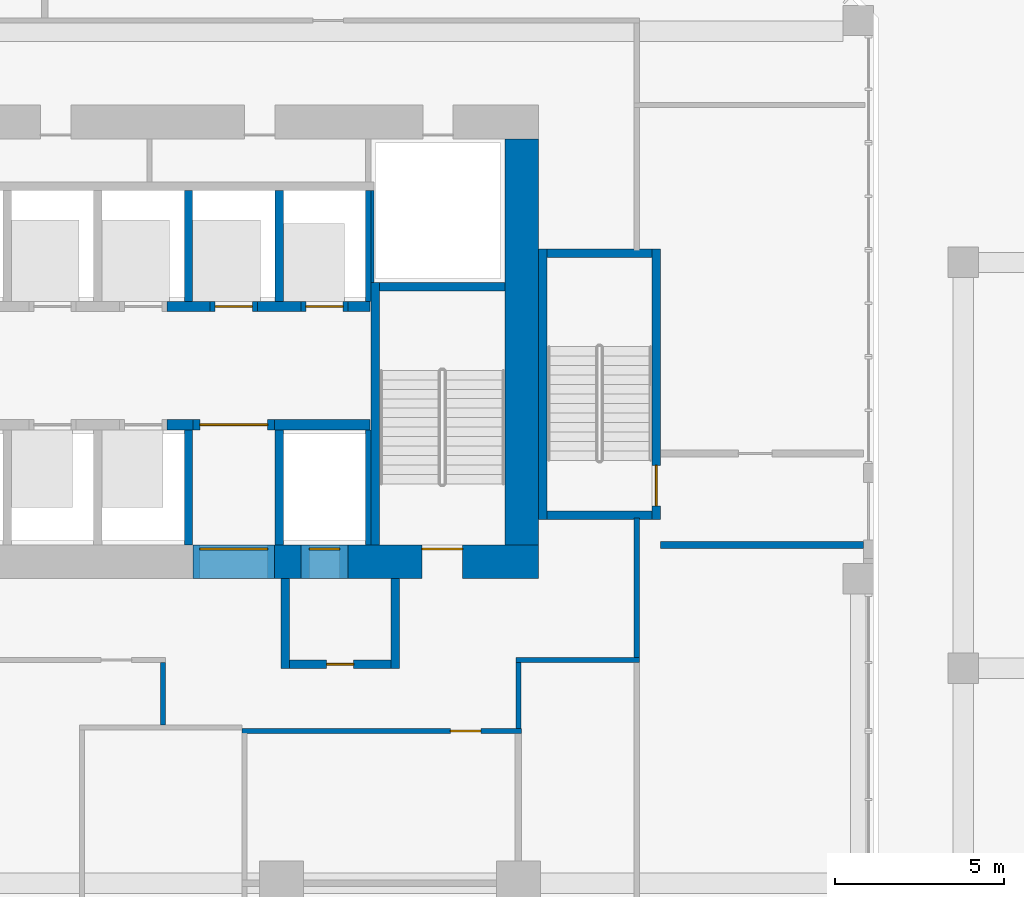
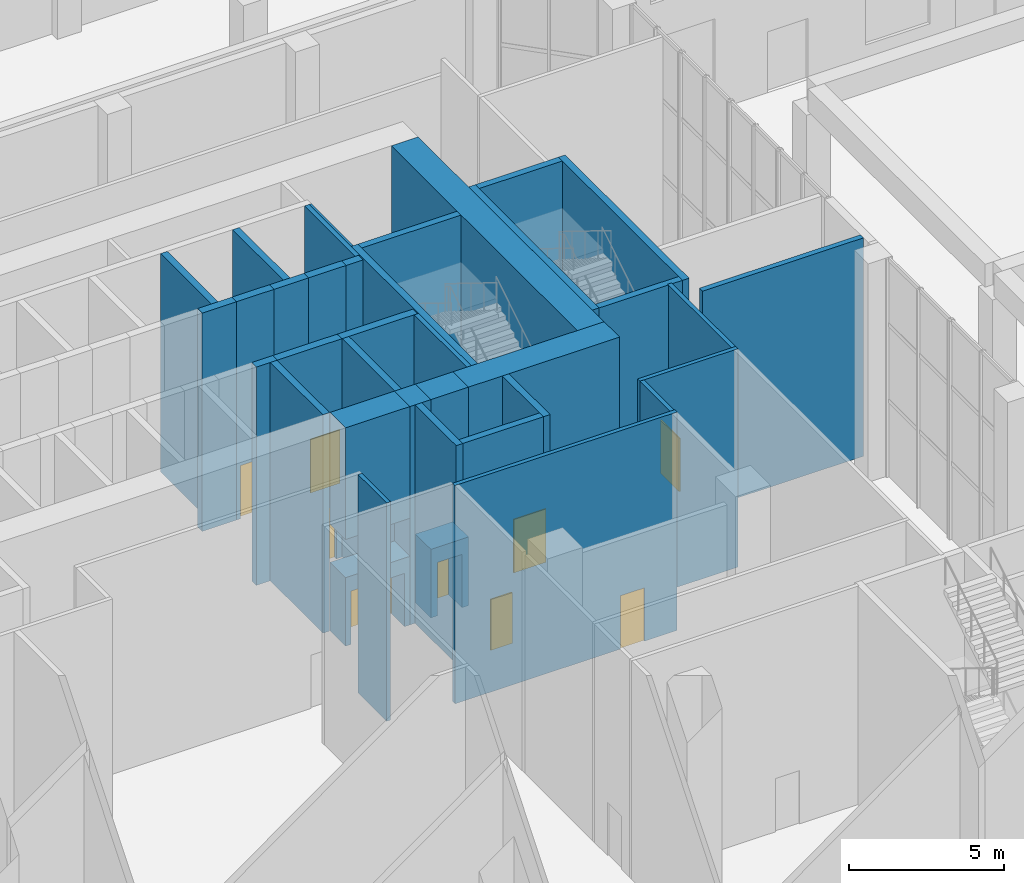
# One storey, part 28 of 43: 37 walls, 9 doors, 9 openings.
"""IFC4 building model written with IfcOpenShell, lengths in metres."""

from ifc_helpers import new_model, si_unit, direction, frame, frame_2d, origin, place, context, subcontext, project, spatial, rectangle, extrude, source, transform, mapped, material, layer, layer_set, type_object, element, fill, save


model = new_model("IFC4")

# Units and contexts
model_context = context("Model", 3, precision=1e-05, world=origin(), true_north=direction((0.0, 1.0)))
body_context = subcontext(model_context, "Body", "Model", "MODEL_VIEW")
ifc_project = project(units=[si_unit("LENGTHUNIT", "METRE"), si_unit("AREAUNIT", "SQUARE_METRE"), si_unit("VOLUMEUNIT", "CUBIC_METRE"), si_unit("PLANEANGLEUNIT", "RADIAN"), si_unit("MASSUNIT", "GRAM", prefix="KILO")], contexts=[model_context])

# Site, building, storey
site_placement = place(None, origin())
site = spatial("IfcSite", under=ifc_project, at=site_placement, CompositionType="ELEMENT")
building_placement = place(site_placement, origin())
building = spatial("IfcBuilding", under=site, at=building_placement, Name="Kilnfold Tower and Market Hall", CompositionType="ELEMENT")
storey_placement = place(building_placement, origin())
storey = spatial("IfcBuildingStorey", under=building, at=storey_placement, Name="L00", CompositionType="ELEMENT", Elevation=0.0)

# Walls
ifc_material_1 = material(Name="Gypsum board on steel studs", Category="steel")
ifc_layer_1 = layer(ifc_material_1, 0.14990234375)
ifc_layer_set_1 = layer_set([ifc_layer_1], Name="Gypsum board on steel studs")
wall_type_1 = type_object("IfcWallType", Name="WALL CORRIDOR 150", PredefinedType="PARTITIONING", material=ifc_layer_set_1)
wall_1_placement = place(storey_placement, frame((21.0, 5.6650390625, 0.0), z_axis=(0.0, 0.0, 1.0), x_axis=(0.0, 1.0, 0.0)))
element("IfcWall", 1, at=wall_1_placement, inside=storey, type_object=wall_type_1, Name="Partition LY01.6", PredefinedType="PARTITIONING", context=body_context, shape_type="SweptSolid", body=[
    extrude(rectangle(XDim=4.135009765625, YDim=0.14990234375, at=frame_2d((2.0673828125, 0.0))), origin(), (0.0, 0.0, 1.0), 8.60009765625),
])
wall_2_placement = place(storey_placement, frame((7.0, 5.52490234375, 0.0), z_axis=(0.0, 0.0, 1.0), x_axis=(0.0, -1.0, 0.0)))
element("IfcWall", 2, at=wall_2_placement, inside=storey, type_object=wall_type_1, Name="Partition LY01.29", PredefinedType="PARTITIONING", context=body_context, shape_type="SweptSolid", body=[
    extrude(rectangle(XDim=1.849853515625, YDim=0.14990234375, at=frame_2d((0.9248046875, 0.0))), origin(), (0.0, 0.0, 1.0), 8.60009765625),
])

# Wall, opening, door
wall_3_placement = place(storey_placement, frame((9.324951171875, 3.5, 0.0), z_axis=(0.0, 0.0, 1.0), x_axis=(1.0, 0.0, 0.0)))
wall_3 = element("IfcWall", 3, at=wall_3_placement, inside=storey, type_object=wall_type_1, Name="Partition LY01.33", PredefinedType="PARTITIONING", context=body_context, shape_type="SweptSolid", body=[
    extrude(rectangle(XDim=8.275146484375, YDim=0.14990234375, at=frame_2d((4.1376953125, 0.0))), origin(), (0.0, 0.0, 1.0), 8.60009765625),
])
opening_1_placement = place(wall_3_placement, frame((6.1640625, 0.0, 0.0)))
opening_1 = element("IfcOpeningElement", 4, at=opening_1_placement, cuts=wall_3, Name="Opening D2", PredefinedType="OPENING", context=body_context, shape_type="SweptSolid", body=[
    extrude(rectangle(XDim=0.89990234375, YDim=2.10009765625, at=frame_2d((0.449951171875, 1.050048828125))), frame((0.0, 0.0849609375, 0.0), z_axis=(0.0, -1.0, 0.0), x_axis=(1.0, 0.0, 0.0)), (0.0, 0.0, 1.0), 0.169921875),
])
ifc_material_2 = material(Name="Timber veneer door leaf in steel frame", Category="steel")
door_type_1 = type_object("IfcDoorType", Name="DOOR ROOM 900 X2100", OperationType="NOTDEFINED", PredefinedType="DOOR", material=ifc_material_2)
door_1_placement = place(opening_1_placement, origin())
door_1 = element("IfcDoor", 5, at=door_1_placement, inside=storey, type_object=door_type_1, Name="Door D2", OperationType="SINGLE_SWING_RIGHT", OverallHeight=2.10009765625, OverallWidth=0.89990234375, PredefinedType="DOOR", context=body_context, shape_type="SweptSolid", body=[
    extrude(rectangle(XDim=0.89990234375, YDim=2.10009765625, at=frame_2d((0.449951171875, 1.050048828125))), frame((0.0, 0.02490234375, 0.0), z_axis=(0.0, -1.0, 0.0), x_axis=(1.0, 0.0, 0.0)), (0.0, 0.0, 1.0), 0.050048828125),
])
fill(opening_1, door_1)

# Walls
wall_4_placement = place(storey_placement, frame((17.425048828125, 5.60009765625, 0.0), z_axis=(0.0, 0.0, 1.0), x_axis=(1.0, 0.0, 0.0)))
element("IfcWall", 6, at=wall_4_placement, inside=storey, type_object=wall_type_1, Name="Partition LY01.34", PredefinedType="PARTITIONING", context=body_context, shape_type="SweptSolid", body=[
    extrude(rectangle(XDim=3.64990234375, YDim=0.14990234375, at=frame_2d((1.824951171875, 0.0))), origin(), (0.0, 0.0, 1.0), 8.60009765625),
])
wall_5_placement = place(storey_placement, frame((17.5, 3.574951171875, 0.0), z_axis=(0.0, 0.0, 1.0), x_axis=(0.0, 1.0, 0.0)))
element("IfcWall", 7, at=wall_5_placement, inside=storey, type_object=wall_type_1, Name="Partition LY01.35", PredefinedType="PARTITIONING", context=body_context, shape_type="SweptSolid", body=[
    extrude(rectangle(XDim=1.949951171875, YDim=0.14990234375, at=frame_2d((0.97509765625, 0.0))), origin(), (0.0, 0.0, 1.0), 8.60009765625),
])
ifc_material_3 = material(Name="Concrete C80", Category="concrete")
ifc_layer_2 = layer(ifc_material_3, 1.0)
ifc_layer_set_2 = layer_set([ifc_layer_2], Name="Concrete C80")
wall_type_2 = type_object("IfcWallType", Name="CORE WALL 1000 C80", PredefinedType="SHEAR", material=ifc_layer_set_2)
shared_shape_1 = source(origin(), body_context, "Body", "SweptSolid", [
    extrude(rectangle(XDim=0.780029296875, YDim=1.0, at=frame_2d((0.39013671875, 0.0))), origin(), (0.0, 0.0, 1.0), 8.60009765625),
])
wall_6_placement = place(storey_placement, frame((10.2900390625, 8.5, 0.0), z_axis=(0.0, 0.0, 1.0), x_axis=(1.0, 0.0, 0.0)))
element("IfcWall", 8, at=wall_6_placement, inside=storey, type_object=wall_type_2, Name="Core outer wall south", PredefinedType="SHEAR", context=body_context, shape_type="MappedRepresentation", body=[
    mapped(shared_shape_1, transform((0.0, 0.0, 0.0))),
])

# Wall, opening, door
shared_shape_2 = source(origin(), body_context, "Body", "SweptSolid", [
    extrude(rectangle(XDim=5.630126953125, YDim=1.0, at=frame_2d((2.81494140625, 0.0))), origin(), (0.0, 0.0, 1.0), 8.60009765625),
])
wall_7_placement = place(storey_placement, frame((12.469970703125, 8.5, 0.0), z_axis=(0.0, 0.0, 1.0), x_axis=(1.0, 0.0, 0.0)))
wall_7 = element("IfcWall", 9, at=wall_7_placement, inside=storey, type_object=wall_type_2, Name="Core outer wall south", PredefinedType="SHEAR", context=body_context, shape_type="MappedRepresentation", body=[
    mapped(shared_shape_2, transform((0.0, 0.0, 0.0))),
])
opening_2_placement = place(wall_7_placement, frame((2.179931640625, 0.0, 0.0)))
opening_2 = element("IfcOpeningElement", 10, at=opening_2_placement, cuts=wall_7, Name="Opening SD1", PredefinedType="OPENING", context=body_context, shape_type="SweptSolid", body=[
    extrude(rectangle(XDim=1.199951171875, YDim=2.10009765625, at=frame_2d((0.60009765625, 1.050048828125))), frame((0.0, 0.510009765625, 0.0), z_axis=(0.0, -1.0, 0.0), x_axis=(1.0, 0.0, 0.0)), (0.0, 0.0, 1.0), 1.02001953125),
])
ifc_material_4 = material(Name="Steel door set with fire-resisting leaf", Category="steel")
door_type_2 = type_object("IfcDoorType", Name="STAIR FLOOR DOOR 1200X2100", OperationType="NOTDEFINED", PredefinedType="DOOR", material=ifc_material_4)
door_2_placement = place(opening_2_placement, origin())
door_2 = element("IfcDoor", 11, at=door_2_placement, inside=storey, type_object=door_type_2, Name="Exit stair ST2 door", OperationType="DOUBLE_DOOR_SINGLE_SWING", OverallHeight=2.10009765625, OverallWidth=1.199951171875, PredefinedType="DOOR", context=body_context, shape_type="SweptSolid", body=[
    extrude(rectangle(XDim=1.199951171875, YDim=2.10009765625, at=frame_2d((0.60009765625, 1.050048828125))), frame((0.0, 0.40478515625, 0.0), z_axis=(0.0, -1.0, 0.0), x_axis=(1.0, 0.0, 0.0)), (0.0, 0.0, 1.0), 0.050048828125),
])
fill(opening_2, door_2)

# Walls
shared_shape_3 = source(origin(), body_context, "Body", "SweptSolid", [
    extrude(rectangle(XDim=12.0, YDim=1.0, at=frame_2d((6.0, 0.0))), origin(), (0.0, 0.0, 1.0), 8.60009765625),
])
wall_8_placement = place(storey_placement, frame((17.60009765625, 9.0, 0.0), z_axis=(0.0, 0.0, 1.0), x_axis=(0.0, 1.0, 0.0)))
element("IfcWall", 12, at=wall_8_placement, inside=storey, type_object=wall_type_2, Name="Core outer wall east", PredefinedType="SHEAR", context=body_context, shape_type="MappedRepresentation", body=[
    mapped(shared_shape_3, transform((0.0, 0.0, 0.0))),
])
ifc_material_5 = material(Name="Concrete C80", Category="concrete")
ifc_layer_3 = layer(ifc_material_5, 0.25)
ifc_layer_set_3 = layer_set([ifc_layer_3], Name="Concrete C80")
wall_type_3 = type_object("IfcWallType", Name="CORE WALL 250 C80", PredefinedType="SHEAR", material=ifc_layer_set_3)
shared_shape_4 = source(origin(), body_context, "Body", "SweptSolid", [
    extrude(rectangle(XDim=7.75, YDim=0.25, at=frame_2d((3.875, 0.0))), origin(), (0.0, 0.0, 1.0), 8.60009765625),
])
wall_9_placement = place(storey_placement, frame((13.27490234375, 9.0, 0.0), z_axis=(0.0, 0.0, 1.0), x_axis=(0.0, 1.0, 0.0)))
element("IfcWall", 13, at=wall_9_placement, inside=storey, type_object=wall_type_3, Name="Stair enclosure ST2", PredefinedType="SHEAR", context=body_context, shape_type="MappedRepresentation", body=[
    mapped(shared_shape_4, transform((0.0, 0.0, 0.0))),
])
shared_shape_5 = source(origin(), body_context, "Body", "SweptSolid", [
    extrude(rectangle(XDim=3.7001953125, YDim=0.25, at=frame_2d((1.85009765625, 0.0))), origin(), (0.0, 0.0, 1.0), 8.60009765625),
])
wall_10_placement = place(storey_placement, frame((13.39990234375, 16.625, 0.0), z_axis=(0.0, 0.0, 1.0), x_axis=(1.0, 0.0, 0.0)))
element("IfcWall", 14, at=wall_10_placement, inside=storey, type_object=wall_type_3, Name="Stair enclosure ST2", PredefinedType="SHEAR", context=body_context, shape_type="MappedRepresentation", body=[
    mapped(shared_shape_5, transform((0.0, 0.0, 0.0))),
])
shared_shape_6 = source(origin(), body_context, "Body", "SweptSolid", [
    extrude(rectangle(XDim=8.0, YDim=0.25, at=frame_2d((4.0, 0.0))), origin(), (0.0, 0.0, 1.0), 8.60009765625),
])
wall_11_placement = place(storey_placement, frame((18.22509765625, 9.75, 0.0), z_axis=(0.0, 0.0, 1.0), x_axis=(0.0, 1.0, 0.0)))
element("IfcWall", 15, at=wall_11_placement, inside=storey, type_object=wall_type_3, Name="Stair enclosure ST5", PredefinedType="SHEAR", context=body_context, shape_type="MappedRepresentation", body=[
    mapped(shared_shape_6, transform((0.0, 0.0, 0.0))),
])

# Wall, opening, door
wall_12_placement = place(storey_placement, frame((21.574951171875, 9.75, 0.0), z_axis=(0.0, 0.0, 1.0), x_axis=(0.0, 1.0, 0.0)))
wall_12 = element("IfcWall", 16, at=wall_12_placement, inside=storey, type_object=wall_type_3, Name="Stair enclosure ST5", PredefinedType="SHEAR", context=body_context, shape_type="MappedRepresentation", body=[
    mapped(shared_shape_6, transform((0.0, 0.0, 0.0))),
])
opening_3_placement = place(wall_12_placement, frame((0.39990234375, 0.0, 0.0)))
opening_3 = element("IfcOpeningElement", 17, at=opening_3_placement, cuts=wall_12, Name="Opening SD1", PredefinedType="OPENING", context=body_context, shape_type="SweptSolid", body=[
    extrude(rectangle(XDim=1.199951171875, YDim=2.10009765625, at=frame_2d((0.60009765625, 1.050048828125))), frame((0.0, 0.135009765625, 0.0), z_axis=(0.0, -1.0, 0.0), x_axis=(1.0, 0.0, 0.0)), (0.0, 0.0, 1.0), 0.27001953125),
])
door_3_placement = place(opening_3_placement, origin())
door_3 = element("IfcDoor", 18, at=door_3_placement, inside=storey, type_object=door_type_2, Name="Exit stair ST5 door", OperationType="DOUBLE_DOOR_SINGLE_SWING", OverallHeight=2.10009765625, OverallWidth=1.199951171875, PredefinedType="DOOR", context=body_context, shape_type="SweptSolid", body=[
    extrude(rectangle(XDim=1.199951171875, YDim=2.10009765625, at=frame_2d((0.60009765625, 1.050048828125))), frame((0.0, 0.02490234375, 0.0), z_axis=(0.0, -1.0, 0.0), x_axis=(1.0, 0.0, 0.0)), (0.0, 0.0, 1.0), 0.050048828125),
])
fill(opening_3, door_3)

# Walls
shared_shape_7 = source(origin(), body_context, "Body", "SweptSolid", [
    extrude(rectangle(XDim=3.099853515625, YDim=0.25, at=frame_2d((1.5498046875, 0.0))), origin(), (0.0, 0.0, 1.0), 8.60009765625),
])
for number, where, z_axis, x_axis, name in (
    (19, (18.35009765625, 9.875, 0.0), (0.0, 0.0, 1.0), (1.0, 0.0, 0.0), "Stair enclosure ST5"),
    (20, (18.35009765625, 17.625, 0.0), (0.0, 0.0, 1.0), (1.0, 0.0, 0.0), "Stair enclosure ST5"),
):
    element("IfcWall", number, at=place(storey_placement, frame(where, z_axis=z_axis, x_axis=x_axis)), inside=storey, type_object=wall_type_3, Name=name, PredefinedType="SHEAR", context=body_context, shape_type="MappedRepresentation", body=[
        mapped(shared_shape_7, transform((0.0, 0.0, 0.0))),
    ])
ifc_material_6 = material(Name="Concrete C80", Category="concrete")
ifc_layer_4 = layer(ifc_material_6, 0.199951171875)
ifc_layer_set_4 = layer_set([ifc_layer_4], Name="Concrete C80")
wall_type_4 = type_object("IfcWallType", Name="CORE WALL 200 C80", PredefinedType="SHEAR", material=ifc_layer_set_4)
shared_shape_8 = source(origin(), body_context, "Body", "SweptSolid", [
    extrude(rectangle(XDim=6.0, YDim=0.199951171875, at=frame_2d((3.0, 0.0))), origin(), (0.0, 0.0, 1.0), 8.60009765625),
])
wall_13_placement = place(storey_placement, frame((21.699951171875, 9.0, 0.0), z_axis=(0.0, 0.0, 1.0), x_axis=(1.0, 0.0, 0.0)))
element("IfcWall", 21, at=wall_13_placement, inside=storey, type_object=wall_type_4, Name="Exit passage ST5", PredefinedType="SHEAR", context=body_context, shape_type="MappedRepresentation", body=[
    mapped(shared_shape_8, transform((0.0, 0.0, 0.0))),
])
ifc_material_7 = material(Name="Concrete C80", Category="concrete")
ifc_layer_5 = layer(ifc_material_7, 0.300048828125)
ifc_layer_set_5 = layer_set([ifc_layer_5], Name="Concrete C80")
wall_type_5 = type_object("IfcWallType", Name="CORE WALL 300 C80", PredefinedType="SHEAR", material=ifc_layer_set_5)
shared_shape_9 = source(origin(), body_context, "Body", "SweptSolid", [
    extrude(rectangle(XDim=1.280029296875, YDim=0.300048828125, at=frame_2d((0.64013671875, 0.0))), origin(), (0.0, 0.0, 1.0), 8.60009765625),
])
wall_14_placement = place(storey_placement, frame((9.7900390625, 16.050048828125, 0.0), z_axis=(0.0, 0.0, 1.0), x_axis=(1.0, 0.0, 0.0)))
element("IfcWall", 22, at=wall_14_placement, inside=storey, type_object=wall_type_5, Name="Core spine wall", PredefinedType="SHEAR", context=body_context, shape_type="MappedRepresentation", body=[
    mapped(shared_shape_9, transform((0.0, 0.0, 0.0))),
])
shared_shape_10 = source(origin(), body_context, "Body", "SweptSolid", [
    extrude(rectangle(XDim=0.77978515625, YDim=0.300048828125, at=frame_2d((0.389892578125, 0.0))), origin(), (0.0, 0.0, 1.0), 8.60009765625),
])
wall_15_placement = place(storey_placement, frame((7.110107421875, 12.550048828125, 0.0), z_axis=(0.0, 0.0, 1.0), x_axis=(1.0, 0.0, 0.0)))
element("IfcWall", 23, at=wall_15_placement, inside=storey, type_object=wall_type_5, Name="Core spine wall", PredefinedType="SHEAR", context=body_context, shape_type="MappedRepresentation", body=[
    mapped(shared_shape_10, transform((0.0, 0.0, 0.0))),
])
shared_shape_11 = source(origin(), body_context, "Body", "SweptSolid", [
    extrude(rectangle(XDim=2.820068359375, YDim=0.300048828125, at=frame_2d((1.41015625, 0.0))), origin(), (0.0, 0.0, 1.0), 8.60009765625),
])
wall_16_placement = place(storey_placement, frame((10.2900390625, 12.550048828125, 0.0), z_axis=(0.0, 0.0, 1.0), x_axis=(1.0, 0.0, 0.0)))
element("IfcWall", 24, at=wall_16_placement, inside=storey, type_object=wall_type_5, Name="Core spine wall", PredefinedType="SHEAR", context=body_context, shape_type="MappedRepresentation", body=[
    mapped(shared_shape_11, transform((0.0, 0.0, 0.0))),
])
shared_shape_12 = source(origin(), body_context, "Body", "SweptSolid", [
    extrude(rectangle(XDim=1.27978515625, YDim=0.300048828125, at=frame_2d((0.639892578125, 0.0))), origin(), (0.0, 0.0, 1.0), 8.60009765625),
])
wall_17_placement = place(storey_placement, frame((7.110107421875, 16.050048828125, 0.0), z_axis=(0.0, 0.0, 1.0), x_axis=(1.0, 0.0, 0.0)))
element("IfcWall", 25, at=wall_17_placement, inside=storey, type_object=wall_type_5, Name="Core spine wall", PredefinedType="SHEAR", context=body_context, shape_type="MappedRepresentation", body=[
    mapped(shared_shape_12, transform((0.0, 0.0, 0.0))),
])
shared_shape_13 = source(origin(), body_context, "Body", "SweptSolid", [
    extrude(rectangle(XDim=0.64013671875, YDim=0.300048828125, at=frame_2d((0.320068359375, 0.0))), origin(), (0.0, 0.0, 1.0), 8.60009765625),
])
wall_18_placement = place(storey_placement, frame((12.469970703125, 16.050048828125, 0.0), z_axis=(0.0, 0.0, 1.0), x_axis=(1.0, 0.0, 0.0)))
element("IfcWall", 26, at=wall_18_placement, inside=storey, type_object=wall_type_5, Name="Core spine wall", PredefinedType="SHEAR", context=body_context, shape_type="MappedRepresentation", body=[
    mapped(shared_shape_13, transform((0.0, 0.0, 0.0))),
])
shared_shape_14 = source(origin(), body_context, "Body", "SweptSolid", [
    extrude(rectangle(XDim=1.39990234375, YDim=1.0, at=frame_2d((0.699951171875, 0.0))), origin(), (0.0, 0.0, 1.0), 4.650146484375),
])
wall_19_placement = place(storey_placement, frame((11.070068359375, 8.5, 3.949951171875), z_axis=(0.0, 0.0, 1.0), x_axis=(1.0, 0.0, 0.0)))
element("IfcWall", 27, at=wall_19_placement, inside=storey, type_object=wall_type_2, Name="Core wall over opening", PredefinedType="SHEAR", context=body_context, shape_type="MappedRepresentation", body=[
    mapped(shared_shape_14, transform((0.0, 0.0, 0.0))),
])
shared_shape_15 = source(origin(), body_context, "Body", "SweptSolid", [
    extrude(rectangle(XDim=2.400146484375, YDim=1.0, at=frame_2d((1.2001953125, 0.0))), origin(), (0.0, 0.0, 1.0), 4.400146484375),
])
wall_20_placement = place(storey_placement, frame((7.889892578125, 8.5, 4.199951171875), z_axis=(0.0, 0.0, 1.0), x_axis=(1.0, 0.0, 0.0)))
element("IfcWall", 28, at=wall_20_placement, inside=storey, type_object=wall_type_2, Name="Core wall over opening", PredefinedType="SHEAR", context=body_context, shape_type="MappedRepresentation", body=[
    mapped(shared_shape_15, transform((0.0, 0.0, 0.0))),
])

# Wall, opening, door
ifc_material_8 = material(Name="Gypsum shaft wall system")
ifc_layer_6 = layer(ifc_material_8, 1.0)
ifc_layer_set_6 = layer_set([ifc_layer_6], Name="Gypsum shaft wall system")
wall_type_6 = type_object("IfcWallType", Name="LOBBY WALL 1000", PredefinedType="PARTITIONING", material=ifc_layer_set_6)
shared_shape_16 = source(origin(), body_context, "Body", "SweptSolid", [
    extrude(rectangle(XDim=1.39990234375, YDim=1.0, at=frame_2d((0.699951171875, 0.0))), origin(), (0.0, 0.0, 1.0), 2.699951171875),
])
wall_21_placement = place(storey_placement, frame((11.070068359375, 8.5, 0.0), z_axis=(0.0, 0.0, 1.0), x_axis=(1.0, 0.0, 0.0)))
wall_21 = element("IfcWall", 29, at=wall_21_placement, inside=storey, type_object=wall_type_6, Name="Core wall infill", PredefinedType="PARTITIONING", context=body_context, shape_type="MappedRepresentation", body=[
    mapped(shared_shape_16, transform((0.0, 0.0, 0.0))),
])
opening_4_placement = place(wall_21_placement, frame((0.25, 0.0, 0.0)))
opening_4 = element("IfcOpeningElement", 30, at=opening_4_placement, cuts=wall_21, Name="Opening LD1", PredefinedType="OPENING", context=body_context, shape_type="SweptSolid", body=[
    extrude(rectangle(XDim=0.89990234375, YDim=2.10009765625, at=frame_2d((0.449951171875, 1.050048828125))), frame((0.0, 0.510009765625, 0.0), z_axis=(0.0, -1.0, 0.0), x_axis=(1.0, 0.0, 0.0)), (0.0, 0.0, 1.0), 1.02001953125),
])
ifc_material_9 = material(Name="Steel door set with fire-resisting leaf", Category="steel")
door_type_3 = type_object("IfcDoorType", Name="FIREFIGHTING LANDING DOOR 900X2100", OperationType="NOTDEFINED", PredefinedType="DOOR", material=ifc_material_9)
door_4_placement = place(opening_4_placement, origin())
door_4 = element("IfcDoor", 31, at=door_4_placement, inside=storey, type_object=door_type_3, Name="Landing door FF3", OperationType="SLIDING_TO_LEFT", OverallHeight=2.10009765625, OverallWidth=0.89990234375, PredefinedType="DOOR", context=body_context, shape_type="SweptSolid", body=[
    extrude(rectangle(XDim=0.89990234375, YDim=2.10009765625, at=frame_2d((0.449951171875, 1.050048828125))), frame((0.0, 0.40478515625, 0.0), z_axis=(0.0, -1.0, 0.0), x_axis=(1.0, 0.0, 0.0)), (0.0, 0.0, 1.0), 0.050048828125),
])
fill(opening_4, door_4)

shared_shape_17 = source(origin(), body_context, "Body", "SweptSolid", [
    extrude(rectangle(XDim=2.400146484375, YDim=1.0, at=frame_2d((1.2001953125, 0.0))), origin(), (0.0, 0.0, 1.0), 2.699951171875),
])
wall_22_placement = place(storey_placement, frame((7.889892578125, 8.5, 0.0), z_axis=(0.0, 0.0, 1.0), x_axis=(1.0, 0.0, 0.0)))
wall_22 = element("IfcWall", 32, at=wall_22_placement, inside=storey, type_object=wall_type_6, Name="Core wall infill", PredefinedType="PARTITIONING", context=body_context, shape_type="MappedRepresentation", body=[
    mapped(shared_shape_17, transform((0.0, 0.0, 0.0))),
])
opening_5_placement = place(wall_22_placement, frame((0.199951171875, 0.0, 0.0)))
opening_5 = element("IfcOpeningElement", 33, at=opening_5_placement, cuts=wall_22, Name="Opening VD2", PredefinedType="OPENING", context=body_context, shape_type="SweptSolid", body=[
    extrude(rectangle(XDim=2.0, YDim=2.10009765625, at=frame_2d((1.0, 1.050048828125))), frame((0.0, 0.510009765625, 0.0), z_axis=(0.0, -1.0, 0.0), x_axis=(1.0, 0.0, 0.0)), (0.0, 0.0, 1.0), 1.02001953125),
])
ifc_material_10 = material(Name="Steel door set with fire-resisting leaf", Category="steel")
door_type_4 = type_object("IfcDoorType", Name="LIFT LOBBY ENTRANCE DOOR 2000X2100", OperationType="NOTDEFINED", PredefinedType="DOOR", material=ifc_material_10)
door_5_placement = place(opening_5_placement, origin())
door_5 = element("IfcDoor", 34, at=door_5_placement, inside=storey, type_object=door_type_4, Name="Lift lobby entrance door", OperationType="DOUBLE_DOOR_SINGLE_SWING", OverallHeight=2.10009765625, OverallWidth=2.0, PredefinedType="DOOR", context=body_context, shape_type="SweptSolid", body=[
    extrude(rectangle(XDim=2.0, YDim=2.10009765625, at=frame_2d((1.0, 1.050048828125))), frame((0.0, 0.40478515625, 0.0), z_axis=(0.0, -1.0, 0.0), x_axis=(1.0, 0.0, 0.0)), (0.0, 0.0, 1.0), 0.050048828125),
])
fill(opening_5, door_5)

ifc_material_11 = material(Name="Gypsum shaft wall system")
ifc_layer_7 = layer(ifc_material_11, 0.300048828125)
ifc_layer_set_7 = layer_set([ifc_layer_7], Name="Gypsum shaft wall system")
wall_type_7 = type_object("IfcWallType", Name="SHAFT WALL 300", PredefinedType="PARTITIONING", material=ifc_layer_set_7)
shared_shape_18 = source(origin(), body_context, "Body", "SweptSolid", [
    extrude(rectangle(XDim=1.39990234375, YDim=0.300048828125, at=frame_2d((0.699951171875, 0.0))), origin(), (0.0, 0.0, 1.0), 8.60009765625),
])
wall_23_placement = place(storey_placement, frame((11.070068359375, 16.050048828125, 0.0), z_axis=(0.0, 0.0, 1.0), x_axis=(1.0, 0.0, 0.0)))
wall_23 = element("IfcWall", 35, at=wall_23_placement, inside=storey, type_object=wall_type_7, Name="Lift shaft front wall", PredefinedType="PARTITIONING", context=body_context, shape_type="MappedRepresentation", body=[
    mapped(shared_shape_18, transform((0.0, 0.0, 0.0))),
])
opening_6_placement = place(wall_23_placement, frame((0.14990234375, 0.0, 0.0)))
opening_6 = element("IfcOpeningElement", 36, at=opening_6_placement, cuts=wall_23, Name="Opening LD2", PredefinedType="OPENING", context=body_context, shape_type="SweptSolid", body=[
    extrude(rectangle(XDim=1.10009765625, YDim=2.10009765625, at=frame_2d((0.550048828125, 1.050048828125))), frame((0.0, 0.16015625, 0.0), z_axis=(0.0, -1.0, 0.0), x_axis=(1.0, 0.0, 0.0)), (0.0, 0.0, 1.0), 0.320068359375),
])
ifc_material_12 = material(Name="Steel door set with fire-resisting leaf", Category="steel")
door_type_5 = type_object("IfcDoorType", Name="LANDING DOOR 1100X2100", OperationType="NOTDEFINED", PredefinedType="DOOR", material=ifc_material_12)
door_6_placement = place(opening_6_placement, origin())
door_6 = element("IfcDoor", 37, at=door_6_placement, inside=storey, type_object=door_type_5, Name="Landing door LR6", OperationType="DOUBLE_DOOR_SLIDING", OverallHeight=2.10009765625, OverallWidth=1.10009765625, PredefinedType="DOOR", context=body_context, shape_type="SweptSolid", body=[
    extrude(rectangle(XDim=1.10009765625, YDim=2.10009765625, at=frame_2d((0.550048828125, 1.050048828125))), frame((0.0, 0.02490234375, 0.0), z_axis=(0.0, -1.0, 0.0), x_axis=(1.0, 0.0, 0.0)), (0.0, 0.0, 1.0), 0.050048828125),
])
fill(opening_6, door_6)

shared_shape_19 = source(origin(), body_context, "Body", "SweptSolid", [
    extrude(rectangle(XDim=1.400146484375, YDim=0.300048828125, at=frame_2d((0.7001953125, 0.0))), origin(), (0.0, 0.0, 1.0), 8.60009765625),
])
wall_24_placement = place(storey_placement, frame((8.389892578125, 16.050048828125, 0.0), z_axis=(0.0, 0.0, 1.0), x_axis=(1.0, 0.0, 0.0)))
wall_24 = element("IfcWall", 38, at=wall_24_placement, inside=storey, type_object=wall_type_7, Name="Lift shaft front wall", PredefinedType="PARTITIONING", context=body_context, shape_type="MappedRepresentation", body=[
    mapped(shared_shape_19, transform((0.0, 0.0, 0.0))),
])
opening_7_placement = place(wall_24_placement, frame((0.14990234375, 0.0, 0.0)))
opening_7 = element("IfcOpeningElement", 39, at=opening_7_placement, cuts=wall_24, Name="Opening LD2", PredefinedType="OPENING", context=body_context, shape_type="SweptSolid", body=[
    extrude(rectangle(XDim=1.10009765625, YDim=2.10009765625, at=frame_2d((0.550048828125, 1.050048828125))), frame((0.0, 0.16015625, 0.0), z_axis=(0.0, -1.0, 0.0), x_axis=(1.0, 0.0, 0.0)), (0.0, 0.0, 1.0), 0.320068359375),
])
door_7_placement = place(opening_7_placement, origin())
door_7 = element("IfcDoor", 40, at=door_7_placement, inside=storey, type_object=door_type_5, Name="Landing door SH6", OperationType="DOUBLE_DOOR_SLIDING", OverallHeight=2.10009765625, OverallWidth=1.10009765625, PredefinedType="DOOR", context=body_context, shape_type="SweptSolid", body=[
    extrude(rectangle(XDim=1.10009765625, YDim=2.10009765625, at=frame_2d((0.550048828125, 1.050048828125))), frame((0.0, 0.02490234375, 0.0), z_axis=(0.0, -1.0, 0.0), x_axis=(1.0, 0.0, 0.0)), (0.0, 0.0, 1.0), 0.050048828125),
])
fill(opening_7, door_7)

shared_shape_20 = source(origin(), body_context, "Body", "SweptSolid", [
    extrude(rectangle(XDim=2.400146484375, YDim=0.300048828125, at=frame_2d((1.2001953125, 0.0))), origin(), (0.0, 0.0, 1.0), 8.60009765625),
])
wall_25_placement = place(storey_placement, frame((7.889892578125, 12.550048828125, 0.0), z_axis=(0.0, 0.0, 1.0), x_axis=(1.0, 0.0, 0.0)))
wall_25 = element("IfcWall", 41, at=wall_25_placement, inside=storey, type_object=wall_type_7, Name="Lift shaft front wall", PredefinedType="PARTITIONING", context=body_context, shape_type="MappedRepresentation", body=[
    mapped(shared_shape_20, transform((0.0, 0.0, 0.0))),
])
opening_8_placement = place(wall_25_placement, frame((0.199951171875, 0.0, 0.0)))
opening_8 = element("IfcOpeningElement", 42, at=opening_8_placement, cuts=wall_25, Name="Opening VD2", PredefinedType="OPENING", context=body_context, shape_type="SweptSolid", body=[
    extrude(rectangle(XDim=2.0, YDim=2.10009765625, at=frame_2d((1.0, 1.050048828125))), frame((0.0, 0.16015625, 0.0), z_axis=(0.0, -1.0, 0.0), x_axis=(1.0, 0.0, 0.0)), (0.0, 0.0, 1.0), 0.320068359375),
])
door_8_placement = place(opening_8_placement, origin())
door_8 = element("IfcDoor", 43, at=door_8_placement, inside=storey, type_object=door_type_4, Name="Lift lobby entrance door", OperationType="DOUBLE_DOOR_SINGLE_SWING", OverallHeight=2.10009765625, OverallWidth=2.0, PredefinedType="DOOR", context=body_context, shape_type="SweptSolid", body=[
    extrude(rectangle(XDim=2.0, YDim=2.10009765625, at=frame_2d((1.0, 1.050048828125))), frame((0.0, 0.02490234375, 0.0), z_axis=(0.0, -1.0, 0.0), x_axis=(1.0, 0.0, 0.0)), (0.0, 0.0, 1.0), 0.050048828125),
])
fill(opening_8, door_8)

# Walls
ifc_material_13 = material(Name="Gypsum shaft wall system")
ifc_layer_8 = layer(ifc_material_13, 0.25)
ifc_layer_set_8 = layer_set([ifc_layer_8], Name="Gypsum shaft wall system")
wall_type_8 = type_object("IfcWallType", Name="LOBBY WALL 250", PredefinedType="PARTITIONING", material=ifc_layer_set_8)
shared_shape_21 = source(origin(), body_context, "Body", "SweptSolid", [
    extrude(rectangle(XDim=2.64990234375, YDim=0.25, at=frame_2d((1.324951171875, 0.0))), origin(), (0.0, 0.0, 1.0), 8.60009765625),
])
for number, where, z_axis, x_axis, name in (
    (44, (10.60498046875, 5.35009765625, 0.0), (0.0, 0.0, 1.0), (0.0, 1.0, 0.0), "Firefighting lobby wall"),
    (45, (13.85498046875, 5.35009765625, 0.0), (0.0, 0.0, 1.0), (0.0, 1.0, 0.0), "Firefighting lobby wall"),
):
    element("IfcWall", number, at=place(storey_placement, frame(where, z_axis=z_axis, x_axis=x_axis)), inside=storey, type_object=wall_type_8, Name=name, PredefinedType="PARTITIONING", context=body_context, shape_type="MappedRepresentation", body=[
        mapped(shared_shape_21, transform((0.0, 0.0, 0.0))),
    ])

# Wall, opening, door
shared_shape_22 = source(origin(), body_context, "Body", "SweptSolid", [
    extrude(rectangle(XDim=3.0, YDim=0.25, at=frame_2d((1.5, 0.0))), origin(), (0.0, 0.0, 1.0), 8.60009765625),
])
wall_26_placement = place(storey_placement, frame((10.72998046875, 5.47509765625, 0.0), z_axis=(0.0, 0.0, 1.0), x_axis=(1.0, 0.0, 0.0)))
wall_26 = element("IfcWall", 46, at=wall_26_placement, inside=storey, type_object=wall_type_8, Name="Firefighting lobby wall", PredefinedType="PARTITIONING", context=body_context, shape_type="MappedRepresentation", body=[
    mapped(shared_shape_22, transform((0.0, 0.0, 0.0))),
])
opening_9_placement = place(wall_26_placement, frame((1.10009765625, 0.0, 0.0)))
opening_9 = element("IfcOpeningElement", 47, at=opening_9_placement, cuts=wall_26, Name="Opening VD1", PredefinedType="OPENING", context=body_context, shape_type="SweptSolid", body=[
    extrude(rectangle(XDim=0.800048828125, YDim=2.0, at=frame_2d((0.39990234375, 1.0))), frame((0.0, 0.135009765625, 0.0), z_axis=(0.0, -1.0, 0.0), x_axis=(1.0, 0.0, 0.0)), (0.0, 0.0, 1.0), 0.27001953125),
])
ifc_material_14 = material(Name="Steel door set with fire-resisting leaf", Category="steel")
door_type_6 = type_object("IfcDoorType", Name="FIREFIGHTING LOBBY DOOR 800X2000", OperationType="NOTDEFINED", PredefinedType="DOOR", material=ifc_material_14)
door_9_placement = place(opening_9_placement, origin())
door_9 = element("IfcDoor", 48, at=door_9_placement, inside=storey, type_object=door_type_6, Name="Firefighting lobby door", OperationType="SINGLE_SWING_RIGHT", OverallHeight=2.0, OverallWidth=0.800048828125, PredefinedType="DOOR", context=body_context, shape_type="SweptSolid", body=[
    extrude(rectangle(XDim=0.800048828125, YDim=2.0, at=frame_2d((0.39990234375, 1.0))), frame((0.0, 0.02490234375, 0.0), z_axis=(0.0, -1.0, 0.0), x_axis=(1.0, 0.0, 0.0)), (0.0, 0.0, 1.0), 0.050048828125),
])
fill(opening_9, door_9)

# Walls
ifc_material_15 = material(Name="Gypsum shaft wall system")
ifc_layer_9 = layer(ifc_material_15, 0.1650390625)
ifc_layer_set_9 = layer_set([ifc_layer_9], Name="Gypsum shaft wall system")
wall_type_9 = type_object("IfcWallType", Name="SHAFT WALL 165", PredefinedType="PARTITIONING", material=ifc_layer_set_9)
shared_shape_23 = source(origin(), body_context, "Body", "SweptSolid", [
    extrude(rectangle(XDim=3.275146484375, YDim=0.1650390625, at=frame_2d((1.6376953125, 0.0))), origin(), (0.0, 0.0, 1.0), 8.60009765625),
])
wall_27_placement = place(storey_placement, frame((13.0673828125, 16.199951171875, 0.0), z_axis=(0.0, 0.0, 1.0), x_axis=(0.0, 1.0, 0.0)))
element("IfcWall", 49, at=wall_27_placement, inside=storey, type_object=wall_type_9, Name="Lift shaft wall", PredefinedType="PARTITIONING", context=body_context, shape_type="MappedRepresentation", body=[
    mapped(shared_shape_23, transform((0.0, 0.0, 0.0))),
])
ifc_material_16 = material(Name="Gypsum shaft wall system")
ifc_layer_10 = layer(ifc_material_16, 0.25)
ifc_layer_set_10 = layer_set([ifc_layer_10], Name="Gypsum shaft wall system")
wall_type_10 = type_object("IfcWallType", Name="SHAFT WALL 250", PredefinedType="PARTITIONING", material=ifc_layer_set_10)
shared_shape_24 = source(origin(), body_context, "Body", "SweptSolid", [
    extrude(rectangle(XDim=3.275146484375, YDim=0.25, at=frame_2d((1.6376953125, 0.0))), origin(), (0.0, 0.0, 1.0), 8.60009765625),
])
for number, where, z_axis, x_axis, name in (
    (50, (10.429931640625, 16.199951171875, 0.0), (0.0, 0.0, 1.0), (0.0, 1.0, 0.0), "Lift shaft wall"),
    (51, (7.75, 16.199951171875, 0.0), (0.0, 0.0, 1.0), (0.0, 1.0, 0.0), "Lift shaft wall"),
):
    element("IfcWall", number, at=place(storey_placement, frame(where, z_axis=z_axis, x_axis=x_axis)), inside=storey, type_object=wall_type_10, Name=name, PredefinedType="PARTITIONING", context=body_context, shape_type="MappedRepresentation", body=[
        mapped(shared_shape_24, transform((0.0, 0.0, 0.0))),
    ])
ifc_material_17 = material(Name="Gypsum shaft wall system")
ifc_layer_11 = layer(ifc_material_17, 0.0849609375)
ifc_layer_set_11 = layer_set([ifc_layer_11], Name="Gypsum shaft wall system")
wall_type_11 = type_object("IfcWallType", Name="SHAFT WALL 85", PredefinedType="PARTITIONING", material=ifc_layer_set_11)
shared_shape_25 = source(origin(), body_context, "Body", "SweptSolid", [
    extrude(rectangle(XDim=2.72509765625, YDim=0.0849609375, at=frame_2d((1.362548828125, 0.0))), origin(), (0.0, 0.0, 1.0), 8.60009765625),
])
wall_28_placement = place(storey_placement, frame((13.1923828125, 16.75, 0.0), z_axis=(0.0, 0.0, 1.0), x_axis=(0.0, 1.0, 0.0)))
element("IfcWall", 52, at=wall_28_placement, inside=storey, type_object=wall_type_11, Name="Lift shaft wall", PredefinedType="PARTITIONING", context=body_context, shape_type="MappedRepresentation", body=[
    mapped(shared_shape_25, transform((0.0, 0.0, 0.0))),
])
shared_shape_26 = source(origin(), body_context, "Body", "SweptSolid", [
    extrude(rectangle(XDim=3.39990234375, YDim=0.25, at=frame_2d((1.699951171875, 0.0))), origin(), (0.0, 0.0, 1.0), 8.60009765625),
])
for number, where, z_axis, x_axis, name in (
    (53, (10.429931640625, 9.0, 0.0), (0.0, 0.0, 1.0), (0.0, 1.0, 0.0), "Lift shaft wall"),
    (54, (7.75, 9.0, 0.0), (0.0, 0.0, 1.0), (0.0, 1.0, 0.0), "Lift shaft wall"),
):
    element("IfcWall", number, at=place(storey_placement, frame(where, z_axis=z_axis, x_axis=x_axis)), inside=storey, type_object=wall_type_10, Name=name, PredefinedType="PARTITIONING", context=body_context, shape_type="MappedRepresentation", body=[
        mapped(shared_shape_26, transform((0.0, 0.0, 0.0))),
    ])
shared_shape_27 = source(origin(), body_context, "Body", "SweptSolid", [
    extrude(rectangle(XDim=3.39990234375, YDim=0.1650390625, at=frame_2d((1.699951171875, 0.0))), origin(), (0.0, 0.0, 1.0), 8.60009765625),
])
wall_29_placement = place(storey_placement, frame((13.0673828125, 9.0, 0.0), z_axis=(0.0, 0.0, 1.0), x_axis=(0.0, 1.0, 0.0)))
element("IfcWall", 55, at=wall_29_placement, inside=storey, type_object=wall_type_9, Name="Lift shaft wall", PredefinedType="PARTITIONING", context=body_context, shape_type="MappedRepresentation", body=[
    mapped(shared_shape_27, transform((0.0, 0.0, 0.0))),
])

save(model, "model.ifc")
